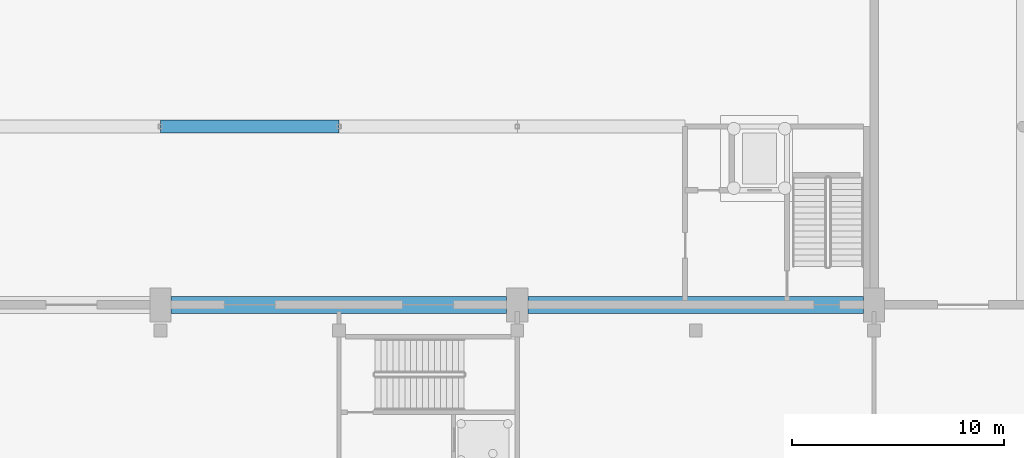
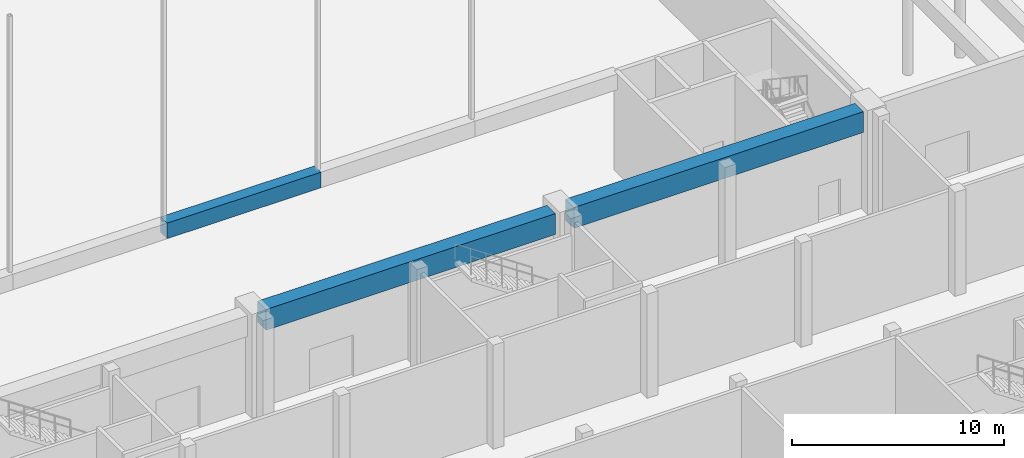
# One storey, part 40 of 210: 3 beams.
"""IFC4 building model written with IfcOpenShell, lengths in metres."""

from ifc_helpers import new_model, si_unit, direction, frame, origin, origin_2d, place, context, subcontext, project, spatial, rectangle, extrude, material, material_profile, profile_set, type_object, element, save


model = new_model("IFC4")

# Units and contexts
model_context = context("Model", 3, precision=1e-05, world=origin(), true_north=direction((0.0, 1.0)))
body_context = subcontext(model_context, "Body", "Model", "MODEL_VIEW")
ifc_project = project(units=[si_unit("LENGTHUNIT", "METRE"), si_unit("AREAUNIT", "SQUARE_METRE"), si_unit("VOLUMEUNIT", "CUBIC_METRE"), si_unit("PLANEANGLEUNIT", "RADIAN"), si_unit("MASSUNIT", "GRAM", prefix="KILO")], contexts=[model_context])

# Site, building, storey
site_placement = place(None, origin())
site = spatial("IfcSite", under=ifc_project, at=site_placement, CompositionType="ELEMENT")
building_placement = place(site_placement, origin())
building = spatial("IfcBuilding", under=site, at=building_placement, Name="Rain Tree Exposition and Congress Centre", CompositionType="ELEMENT")
storey_placement = place(building_placement, origin())
storey = spatial("IfcBuildingStorey", under=building, at=storey_placement, Name="L00", CompositionType="ELEMENT", Elevation=0.0)

# Beams
ifc_material_1 = material(Name="Precast concrete C50/60", Category="concrete")
ifc_material_profile_1 = material_profile(ifc_material_1, rectangle(XDim=0.60009765625, YDim=0.89990234375, at=origin_2d()), Name="RC 600x900")
ifc_profile_set_1 = profile_set([ifc_material_profile_1], Name="Precast concrete C50/60")
beam_type_1 = type_object("IfcBeamType", Name="Precast beam 600x900", PredefinedType="BEAM", material=ifc_profile_set_1)
beam_placement = place(storey_placement, frame((92.39990234375, 109.199951171875, 5.25), z_axis=(1.0, 0.0, 0.0), x_axis=(0.0, 1.0, 0.0)))
element("IfcBeam", 1, at=beam_placement, inside=storey, type_object=beam_type_1, Name="Gallery edge beam 10", PredefinedType="BEAM", context=body_context, shape_type="SweptSolid", body=[
    extrude(rectangle(XDim=0.60009765625, YDim=0.89990234375, at=origin_2d()), origin(), (0.0, 0.0, 1.0), 8.400146484375),
])
ifc_material_2 = material(Name="Precast concrete C50/60", Category="concrete")
ifc_material_profile_2 = material_profile(ifc_material_2, rectangle(XDim=0.800048828125, YDim=1.199951171875, at=origin_2d()), Name="RC 800x1200")
ifc_profile_set_2 = profile_set([ifc_material_profile_2], Name="Precast concrete C50/60")
beam_type_2 = type_object("IfcBeamType", Name="Precast beam 800x1200", PredefinedType="BEAM", material=ifc_profile_set_2)
for number, where, z_axis, x_axis, name in (
    (2, (92.89990234375, 100.800048828125, 5.10009765625), (1.0, 0.0, 0.0), (0.0, 1.0, 0.0), "Gallery perimeter beam 6"),
    (3, (109.699951171875, 100.800048828125, 5.10009765625), (1.0, 0.0, 0.0), (0.0, 1.0, 0.0), "Gallery perimeter beam 7"),
):
    element("IfcBeam", number, at=place(storey_placement, frame(where, z_axis=z_axis, x_axis=x_axis)), inside=storey, type_object=beam_type_2, Name=name, PredefinedType="BEAM", context=body_context, shape_type="SweptSolid", body=[
        extrude(rectangle(XDim=0.800048828125, YDim=1.199951171875, at=origin_2d()), origin(), (0.0, 0.0, 1.0), 15.800048828125),
    ])

save(model, "model.ifc")
